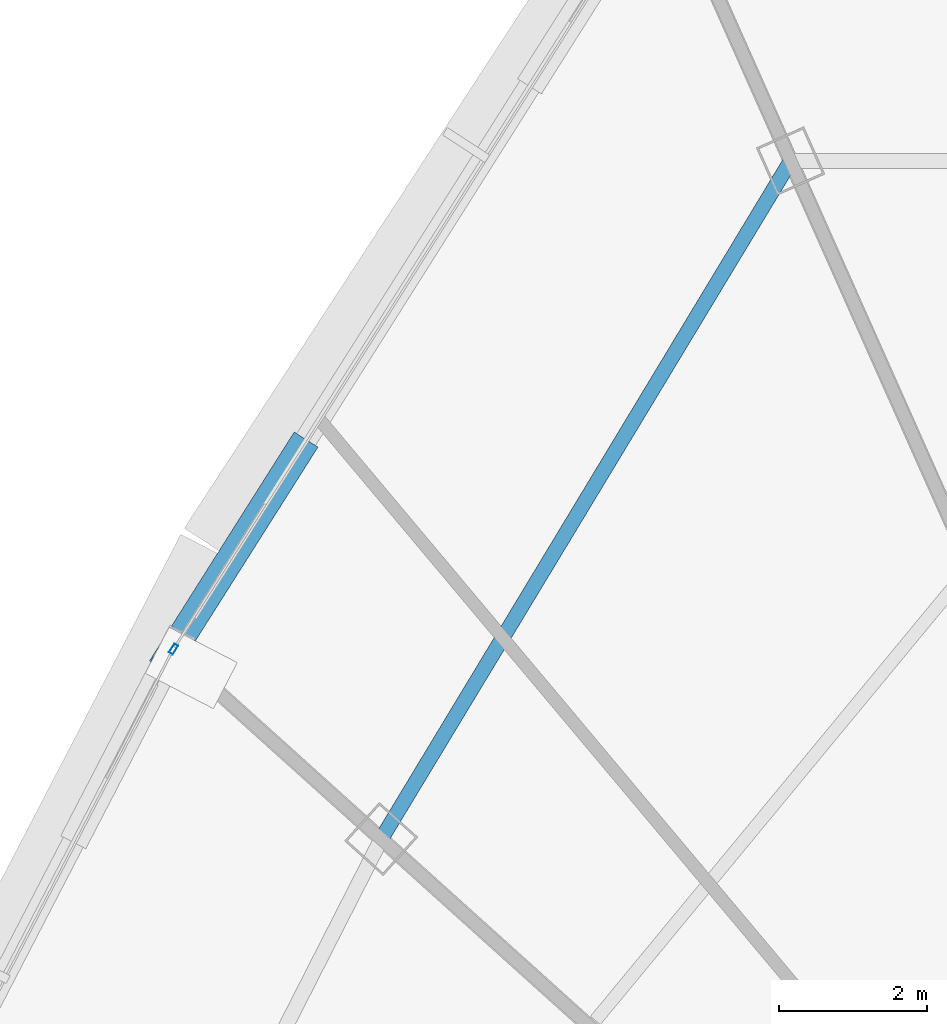
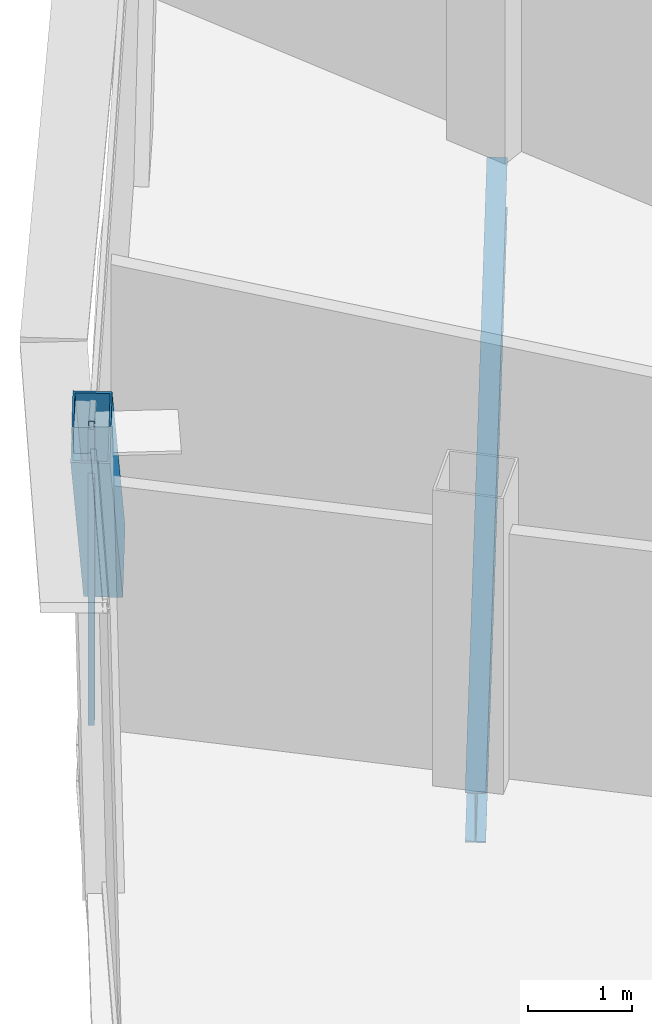
# One storey, part 10 of 34: 2 members, 1 beam, 1 element without a shape of its own.
"""IFC4 building model written with IfcOpenShell, lengths in metres."""

from ifc_helpers import new_model, si_unit, direction, frame, origin, origin_2d, place, context, subcontext, project, spatial, hollow_rectangle, i_section, extrude, source, transform, mapped, material, layer, layer_set, material_profile, profile_set, type_object, element, aggregate, save


model = new_model("IFC4")

# Units and contexts
model_context = context("Model", 3, precision=1e-05, world=origin(), true_north=direction((0.0, 1.0)))
body_context = subcontext(model_context, "Body", "Model", "MODEL_VIEW")
ifc_project = project(units=[si_unit("LENGTHUNIT", "METRE"), si_unit("AREAUNIT", "SQUARE_METRE"), si_unit("VOLUMEUNIT", "CUBIC_METRE"), si_unit("PLANEANGLEUNIT", "RADIAN"), si_unit("MASSUNIT", "GRAM", prefix="KILO"), si_unit("THERMODYNAMICTEMPERATUREUNIT", "KELVIN"), si_unit("POWERUNIT", "WATT")], contexts=[model_context])

# Site, building, storey
site_placement = place(None, origin())
site = spatial("IfcSite", under=ifc_project, at=site_placement, CompositionType="ELEMENT")
building_placement = place(site_placement, origin())
building = spatial("IfcBuilding", under=site, at=building_placement, Name="Yunzhuo Pagoda Commons", CompositionType="ELEMENT")
storey_placement = place(building_placement, frame((0.0, 0.0, 333.010009765625)))
storey = spatial("IfcBuildingStorey", under=building, at=storey_placement, Name="L83", CompositionType="ELEMENT", Elevation=333.010009765625)

# Beam
ifc_material_1 = material(Name="Structural steel Q355B", Category="steel")
ifc_material_profile_1 = material_profile(ifc_material_1, i_section(OverallWidth=0.199951171875, OverallDepth=0.60009765625, WebThickness=0.010986328125, FlangeThickness=0.01708984375, at=origin_2d()), Name="Structural steel Q355B")
ifc_profile_set_1 = profile_set([ifc_material_profile_1], Name="Structural steel Q355B")
beam_type = type_object("IfcBeamType", Name="B-RG3 Beam HN 600x200x11x17", PredefinedType="BEAM", material=ifc_profile_set_1)
shared_shape_1 = source(origin(), body_context, "Body", "SweptSolid", [
    extrude(i_section(OverallWidth=0.199951171875, OverallDepth=0.60009765625, WebThickness=0.010986328125, FlangeThickness=0.01708984375, at=origin_2d()), origin(), (0.0, 0.0, 1.0), 10.691162109375),
])
beam_placement = place(storey_placement, frame((37.501220703125, 57.281005859375, -0.56005859375), z_axis=(-0.516864678433, -0.856067114301, 0.0), x_axis=(0.856067114301, -0.516864678433, 0.0)))
element("IfcBeam", 1, at=beam_placement, inside=storey, type_object=beam_type, Name="L83 column-ring beam 9", PredefinedType="BEAM", context=body_context, shape_type="MappedRepresentation", body=[
    mapped(shared_shape_1, transform((0.0, 0.0, 0.0), scale=1.0)),
])

# Member
ifc_material_profile_2 = material_profile(ifc_material_1, hollow_rectangle(XDim=0.3798828125, YDim=0.719970703125, WallThickness=0.02001953125, at=origin_2d()), Name="Structural steel Q355B")
ifc_profile_set_2 = profile_set([ifc_material_profile_2], Name="Structural steel Q355B")
member_type_1 = type_object("IfcMemberType", Name="M-DL3 Brace BOX 720x380x20", PredefinedType="BRACE", material=ifc_profile_set_2)
shared_shape_2 = source(origin(), body_context, "Body", "SweptSolid", [
    extrude(hollow_rectangle(XDim=0.3798828125, YDim=0.719970703125, WallThickness=0.02001953125, at=origin_2d()), origin(), (0.0, 0.0, 1.0), 4.86474609375),
])
member_1_placement = place(storey_placement, frame((30.812744140625, 53.285888671875, -0.260009765625), z_axis=(-0.340514655846, -0.538349405049, 0.770862949711), x_axis=(0.845131136899, -0.534559034573, 0.0)))
element("IfcMember", 2, at=member_1_placement, inside=storey, type_object=member_type_1, Name="L83 facade diamond brace F3.1R", PredefinedType="BRACE", context=body_context, shape_type="MappedRepresentation", body=[
    mapped(shared_shape_2, transform((0.0, 0.0, 0.0), scale=1.0)),
])

# Curtain wall, member
ifc_material_2 = material(Name="Anodized aluminium 6063-T6", Category="aluminium")
ifc_layer = layer(ifc_material_2, 0.139892578125)
ifc_layer_set = layer_set([ifc_layer], Name="Anodized aluminium 6063-T6")
curtain_wall_type = type_object("IfcCurtainWallType", Name="CW-HI High-Zone Ribbon Curtain Wall", PredefinedType="NOTDEFINED", material=ifc_layer_set)
curtain_wall_placement = place(storey_placement, origin())
curtain_wall = element("IfcCurtainWall", 3, at=curtain_wall_placement, inside=storey, type_object=curtain_wall_type, Name="L83 curtain wall CW-L83-F3B2", PredefinedType="NOTDEFINED")
ifc_material_profile_3 = material_profile(ifc_material_2, hollow_rectangle(XDim=0.06005859375, YDim=0.139892578125, WallThickness=0.00341796875, at=origin_2d()), Name="Anodized aluminium 6063-T6")
ifc_profile_set_3 = profile_set([ifc_material_profile_3], Name="Anodized aluminium 6063-T6")
member_type_2 = type_object("IfcMemberType", Name="CW-HI-M Mullion RHS 140x60x3.5", PredefinedType="MULLION", material=ifc_profile_set_3)
shared_shape_3 = source(origin(), body_context, "Body", "SweptSolid", [
    extrude(hollow_rectangle(XDim=0.06005859375, YDim=0.139892578125, WallThickness=0.00341796875, at=origin_2d()), origin(), (0.0, 0.0, 1.0), 3.489990234375),
])
member_2_placement = place(storey_placement, frame((29.17236328125, 50.6923828125, 0.0), z_axis=(0.0, 0.0, 1.0), x_axis=(0.845148830397, -0.534531060349, 0.0)))
member_2 = element("IfcMember", 4, at=member_2_placement, type_object=member_type_2, Name="CW mullion 2", PredefinedType="MULLION", context=body_context, shape_type="MappedRepresentation", body=[
    mapped(shared_shape_3, transform((0.0, 0.0, 0.0), scale=1.0)),
])
aggregate(curtain_wall, [member_2])

save(model, "model.ifc")
